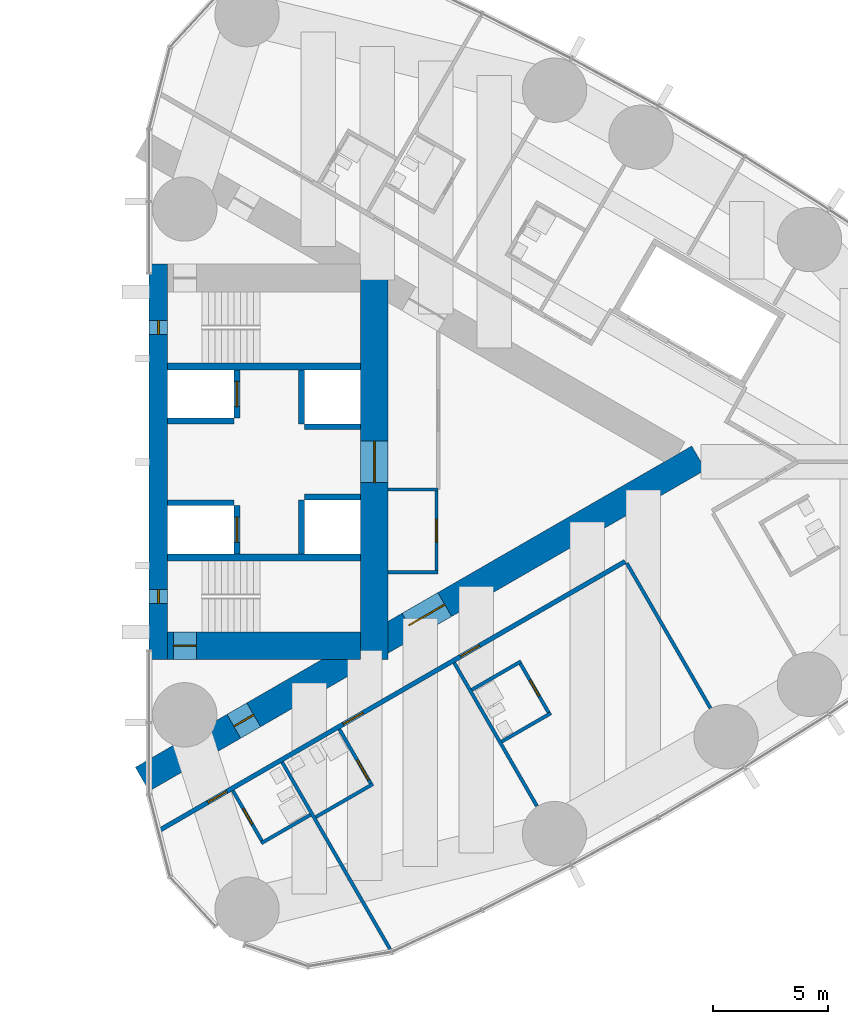
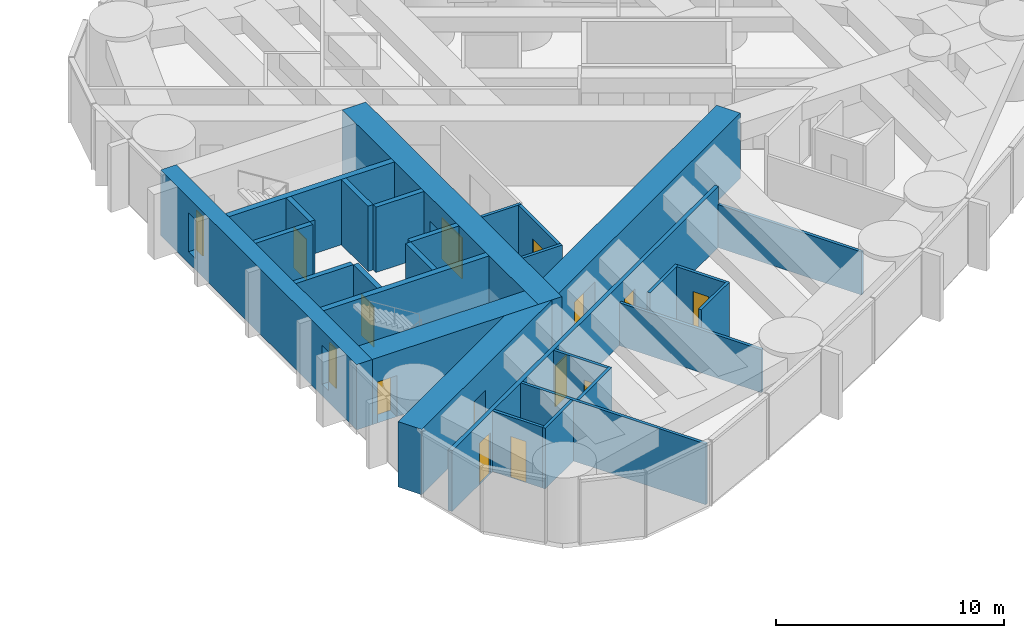
# One storey, part 14 of 18: 28 walls, 13 doors, 2 windows, 15 openings.
"""IFC4 building model written with IfcOpenShell, lengths in metres."""

from ifc_helpers import new_model, si_unit, direction, frame, frame_2d, origin, place, context, subcontext, project, spatial, rectangle, extrude, material, layer, layer_set, type_object, element, fill, save


model = new_model("IFC4")

# Units and contexts
model_context = context("Model", 3, precision=1e-05, world=origin(), true_north=direction((0.0, 1.0)))
body_context = subcontext(model_context, "Body", "Model", "MODEL_VIEW")
ifc_project = project(units=[si_unit("LENGTHUNIT", "METRE"), si_unit("AREAUNIT", "SQUARE_METRE"), si_unit("VOLUMEUNIT", "CUBIC_METRE"), si_unit("PLANEANGLEUNIT", "RADIAN"), si_unit("MASSUNIT", "GRAM", prefix="KILO")], contexts=[model_context])

# Site, building, storey
site_placement = place(None, origin())
site = spatial("IfcSite", under=ifc_project, at=site_placement, CompositionType="ELEMENT")
building_placement = place(site_placement, origin())
building = spatial("IfcBuilding", under=site, at=building_placement, Name="Lancet Gate Hotel", CompositionType="ELEMENT")
storey_placement = place(building_placement, frame((0.0, 0.0, 180.800048828125)))
storey = spatial("IfcBuildingStorey", under=building, at=storey_placement, Name="L48", CompositionType="ELEMENT", Elevation=180.800048828125)

# Wall
ifc_material_1 = material(Name="Moisture resistant board partition")
ifc_layer_1 = layer(ifc_material_1, 0.14990234375)
ifc_layer_set_1 = layer_set([ifc_layer_1], Name="Bathroom wall 150")
wall_type_1 = type_object("IfcWallType", Name="Bathroom wall 150", PredefinedType="PARTITIONING", material=ifc_layer_set_1)
wall_1_placement = place(storey_placement, frame((32.375244140625, -16.58544921875, 0.0), z_axis=(0.0, 0.0, 1.0), x_axis=(0.86604923931, 0.499958713387, 0.0)))
element("IfcWall", 1, at=wall_1_placement, inside=storey, type_object=wall_type_1, Name="T2 bathroom wall 150 L48", PredefinedType="PARTITIONING", context=body_context, shape_type="SweptSolid", body=[
    extrude(rectangle(XDim=2.474853515625, YDim=0.14990234375, at=frame_2d((1.2373046875, 0.0))), origin(), (0.0, 0.0, 1.0), 3.25),
])

# Wall, opening, door
wall_2_placement = place(storey_placement, frame((31.14013671875, -14.29638671875, 0.0), z_axis=(0.0, 0.0, 1.0), x_axis=(0.500006934395, -0.866021400173, 0.0)))
wall_2 = element("IfcWall", 2, at=wall_2_placement, inside=storey, type_object=wall_type_1, Name="T2 bathroom wall 150 L48", PredefinedType="PARTITIONING", context=body_context, shape_type="SweptSolid", body=[
    extrude(rectangle(XDim=2.60009765625, YDim=0.14990234375, at=frame_2d((1.300048828125, 0.0))), origin(), (0.0, 0.0, 1.0), 3.25),
])
opening_1_placement = place(wall_2_placement, frame((0.89990234375, 0.0, 0.0)))
opening_1 = element("IfcOpeningElement", 3, at=opening_1_placement, cuts=wall_2, Name="Opening 4851-B", PredefinedType="OPENING", context=body_context, shape_type="SweptSolid", body=[
    extrude(rectangle(XDim=0.800048828125, YDim=2.199951171875, at=frame_2d((0.39990234375, 1.10009765625))), frame((0.0, 0.0849609375, 0.0), z_axis=(0.0, -1.0, 0.0), x_axis=(1.0, 0.0, 0.0)), (0.0, 0.0, 1.0), 0.169921875),
])
ifc_material_2 = material(Name="Timber door set", Category="wood")
door_type_1 = type_object("IfcDoorType", Name="Bathroom door 800", OperationType="SINGLE_SWING_RIGHT", PredefinedType="DOOR", material=ifc_material_2)
door_1_placement = place(opening_1_placement, origin())
door_1 = element("IfcDoor", 4, at=door_1_placement, inside=storey, type_object=door_type_1, Name="4851-B", OperationType="SINGLE_SWING_RIGHT", OverallHeight=2.199951171875, OverallWidth=0.800048828125, PredefinedType="DOOR", context=body_context, shape_type="SweptSolid", body=[
    extrude(rectangle(XDim=0.800048828125, YDim=2.199951171875, at=frame_2d((0.39990234375, 1.10009765625))), frame((0.0, 0.02490234375, 0.0), z_axis=(0.0, -1.0, 0.0), x_axis=(1.0, 0.0, 0.0)), (0.0, 0.0, 1.0), 0.050048828125),
])
fill(opening_1, door_1)

# Wall
wall_3_placement = place(storey_placement, frame((34.74853515625, -15.4462890625, 0.0), z_axis=(0.0, 0.0, 1.0), x_axis=(0.866018712932, 0.500011588718, 0.0)))
element("IfcWall", 5, at=wall_3_placement, inside=storey, type_object=wall_type_1, Name="T2 bathroom wall 150 L48", PredefinedType="PARTITIONING", context=body_context, shape_type="SweptSolid", body=[
    extrude(rectangle(XDim=2.875, YDim=0.14990234375, at=frame_2d((1.4375, 0.0))), origin(), (0.0, 0.0, 1.0), 3.25),
])

# Wall, opening, door
wall_4_placement = place(storey_placement, frame((35.7734375, -11.621337890625, 0.0), z_axis=(0.0, 0.0, 1.0), x_axis=(0.49998411664, -0.866034573852, 0.0)))
wall_4 = element("IfcWall", 6, at=wall_4_placement, inside=storey, type_object=wall_type_1, Name="T2 bathroom wall 150 L48", PredefinedType="PARTITIONING", context=body_context, shape_type="SweptSolid", body=[
    extrude(rectangle(XDim=2.7998046875, YDim=0.14990234375, at=frame_2d((1.39990234375, 0.0))), origin(), (0.0, 0.0, 1.0), 3.25),
])
opening_2_placement = place(wall_4_placement, frame((1.550048828125, 0.0, 0.0)))
opening_2 = element("IfcOpeningElement", 7, at=opening_2_placement, cuts=wall_4, Name="Opening 4852-B", PredefinedType="OPENING", context=body_context, shape_type="SweptSolid", body=[
    extrude(rectangle(XDim=1.0, YDim=2.199951171875, at=frame_2d((0.5, 1.10009765625))), frame((0.0, 0.0849609375, 0.0), z_axis=(0.0, -1.0, 0.0), x_axis=(1.0, 0.0, 0.0)), (0.0, 0.0, 1.0), 0.169921875),
])
ifc_material_3 = material(Name="Timber door set", Category="wood")
door_type_2 = type_object("IfcDoorType", Name="Accessible en-suite door 1000", OperationType="SINGLE_SWING_RIGHT", PredefinedType="DOOR", material=ifc_material_3)
door_2_placement = place(opening_2_placement, origin())
door_2 = element("IfcDoor", 8, at=door_2_placement, inside=storey, type_object=door_type_2, Name="4852-B", OperationType="SINGLE_SWING_RIGHT", OverallHeight=2.199951171875, OverallWidth=1.0, PredefinedType="DOOR", context=body_context, shape_type="SweptSolid", body=[
    extrude(rectangle(XDim=1.0, YDim=2.199951171875, at=frame_2d((0.5, 1.10009765625))), frame((0.0, 0.02490234375, 0.0), z_axis=(0.0, -1.0, 0.0), x_axis=(1.0, 0.0, 0.0)), (0.0, 0.0, 1.0), 0.050048828125),
])
fill(opening_2, door_2)

# Wall
wall_5_placement = place(storey_placement, frame((42.834228515625, -12.16357421875, 0.0), z_axis=(0.0, 0.0, 1.0), x_axis=(0.866031185235, 0.4999899861, 0.0)))
element("IfcWall", 9, at=wall_5_placement, inside=storey, type_object=wall_type_1, Name="T2 bathroom wall 150 L48", PredefinedType="PARTITIONING", context=body_context, shape_type="SweptSolid", body=[
    extrude(rectangle(XDim=2.47509765625, YDim=0.14990234375, at=frame_2d((1.237548828125, 0.0))), origin(), (0.0, 0.0, 1.0), 3.25),
])

# Wall, opening, door
wall_6_placement = place(storey_placement, frame((43.61279296875, -8.7119140625, 0.0), z_axis=(0.0, 0.0, 1.0), x_axis=(0.500006934395, -0.866021400173, 0.0)))
wall_6 = element("IfcWall", 10, at=wall_6_placement, inside=storey, type_object=wall_type_1, Name="T2 bathroom wall 150 L48", PredefinedType="PARTITIONING", context=body_context, shape_type="SweptSolid", body=[
    extrude(rectangle(XDim=2.60009765625, YDim=0.14990234375, at=frame_2d((1.300048828125, 0.0))), origin(), (0.0, 0.0, 1.0), 3.25),
])
opening_3_placement = place(wall_6_placement, frame((0.89990234375, 0.0, 0.0)))
opening_3 = element("IfcOpeningElement", 11, at=opening_3_placement, cuts=wall_6, Name="Opening 4854-B", PredefinedType="OPENING", context=body_context, shape_type="SweptSolid", body=[
    extrude(rectangle(XDim=0.800048828125, YDim=2.199951171875, at=frame_2d((0.39990234375, 1.10009765625))), frame((0.0, 0.0849609375, 0.0), z_axis=(0.0, -1.0, 0.0), x_axis=(1.0, 0.0, 0.0)), (0.0, 0.0, 1.0), 0.169921875),
])
door_3_placement = place(opening_3_placement, origin())
door_3 = element("IfcDoor", 12, at=door_3_placement, inside=storey, type_object=door_type_1, Name="4854-B", OperationType="SINGLE_SWING_RIGHT", OverallHeight=2.199951171875, OverallWidth=0.800048828125, PredefinedType="DOOR", context=body_context, shape_type="SweptSolid", body=[
    extrude(rectangle(XDim=0.800048828125, YDim=2.199951171875, at=frame_2d((0.39990234375, 1.10009765625))), frame((0.0, 0.02490234375, 0.0), z_axis=(0.0, -1.0, 0.0), x_axis=(1.0, 0.0, 0.0)), (0.0, 0.0, 1.0), 0.050048828125),
])
fill(opening_3, door_3)

# Wall
wall_7_placement = place(storey_placement, frame((41.5341796875, -9.911865234375, 0.0), z_axis=(0.0, 0.0, 1.0), x_axis=(0.866031185235, 0.4999899861, 0.0)))
element("IfcWall", 13, at=wall_7_placement, inside=storey, type_object=wall_type_1, Name="T2 bathroom wall 150 L48", PredefinedType="PARTITIONING", context=body_context, shape_type="SweptSolid", body=[
    extrude(rectangle(XDim=2.47509765625, YDim=0.14990234375, at=frame_2d((1.237548828125, 0.0))), origin(), (0.0, 0.0, 1.0), 3.25),
])

# Wall, openings, doors
ifc_material_4 = material(Name="Concrete C70/85", Category="concrete")
ifc_layer_2 = layer(ifc_material_4, 1.199951171875)
ifc_layer_set_2 = layer_set([ifc_layer_2], Name="Buttress wall 1200")
wall_type_2 = type_object("IfcWallType", Name="Buttress wall 1200", PredefinedType="SHEAR", material=ifc_layer_set_2)
wall_8_placement = place(storey_placement, frame((27.199951171875, -13.800048828125, 0.0), z_axis=(0.0, 0.0, 1.0), x_axis=(0.866027159892, 0.499996958321, 0.0)))
wall_8 = element("IfcWall", 14, at=wall_8_placement, inside=storey, type_object=wall_type_2, Name="T2 buttress wall S L48", PredefinedType="SHEAR", context=body_context, shape_type="SweptSolid", body=[
    extrude(rectangle(XDim=27.946533203125, YDim=1.199951171875, at=frame_2d((13.97314453125, 0.0))), origin(), (0.0, 0.0, 1.0), 3.5),
])
opening_4_placement = place(wall_8_placement, frame((4.60009765625, 0.0, 0.0)))
opening_4 = element("IfcOpeningElement", 15, at=opening_4_placement, cuts=wall_8, Name="Opening T2-L48-LS", PredefinedType="OPENING", context=body_context, shape_type="SweptSolid", body=[
    extrude(rectangle(XDim=1.0, YDim=2.199951171875, at=frame_2d((0.5, 1.10009765625))), frame((0.0, 0.60986328125, 0.0), z_axis=(0.0, -1.0, 0.0), x_axis=(1.0, 0.0, 0.0)), (0.0, 0.0, 1.0), 1.219970703125),
])
opening_5_placement = place(wall_8_placement, frame((13.39453125, 0.0, 0.0)))
opening_5 = element("IfcOpeningElement", 16, at=opening_5_placement, cuts=wall_8, Name="Opening T2-L48-LHS", PredefinedType="OPENING", context=body_context, shape_type="SweptSolid", body=[
    extrude(rectangle(XDim=1.800048828125, YDim=2.199951171875, at=frame_2d((0.89990234375, 1.10009765625))), frame((0.0, 0.60986328125, 0.0), z_axis=(0.0, -1.0, 0.0), x_axis=(1.0, 0.0, 0.0)), (0.0, 0.0, 1.0), 1.219970703125),
])
ifc_material_5 = material(Name="Timber door set", Category="wood")
door_type_3 = type_object("IfcDoorType", Name="Lobby double door 1800", OperationType="DOUBLE_DOOR_SINGLE_SWING", PredefinedType="DOOR", material=ifc_material_5)
door_4_placement = place(opening_5_placement, origin())
door_4 = element("IfcDoor", 17, at=door_4_placement, inside=storey, type_object=door_type_3, Name="T2-L48-LHS", OperationType="DOUBLE_DOOR_SINGLE_SWING", OverallHeight=2.199951171875, OverallWidth=1.800048828125, PredefinedType="DOOR", context=body_context, shape_type="SweptSolid", body=[
    extrude(rectangle(XDim=1.800048828125, YDim=2.199951171875, at=frame_2d((0.89990234375, 1.10009765625))), frame((0.0, 0.02490234375, 0.0), z_axis=(0.0, -1.0, 0.0), x_axis=(1.0, 0.0, 0.0)), (0.0, 0.0, 1.0), 0.050048828125),
])
fill(opening_5, door_4)
ifc_material_6 = material(Name="Timber door set", Category="wood")
door_type_4 = type_object("IfcDoorType", Name="Stair lobby door 1000", OperationType="SINGLE_SWING_LEFT", PredefinedType="DOOR", material=ifc_material_6)
door_5_placement = place(opening_4_placement, origin())
door_5 = element("IfcDoor", 18, at=door_5_placement, inside=storey, type_object=door_type_4, Name="T2-L48-LS", OperationType="SINGLE_SWING_LEFT", OverallHeight=2.199951171875, OverallWidth=1.0, PredefinedType="DOOR", context=body_context, shape_type="SweptSolid", body=[
    extrude(rectangle(XDim=1.0, YDim=2.199951171875, at=frame_2d((0.5, 1.10009765625))), frame((0.0, 0.02490234375, 0.0), z_axis=(0.0, -1.0, 0.0), x_axis=(1.0, 0.0, 0.0)), (0.0, 0.0, 1.0), 0.050048828125),
])
fill(opening_4, door_5)

# Wall, opening, door
ifc_material_7 = material(Name="Concrete C70/85", Category="concrete")
ifc_layer_3 = layer(ifc_material_7, 1.199951171875)
ifc_layer_set_3 = layer_set([ifc_layer_3], Name="Core wall 1200")
wall_type_3 = type_object("IfcWallType", Name="Core wall 1200", PredefinedType="SHEAR", material=ifc_layer_set_3)
wall_9_placement = place(storey_placement, frame((37.300048828125, -8.60009765625, 0.0), z_axis=(0.0, 0.0, 1.0), x_axis=(0.0, 1.0, 0.0)))
wall_9 = element("IfcWall", 19, at=wall_9_placement, inside=storey, type_object=wall_type_3, Name="T2 core wall back L48", PredefinedType="SHEAR", context=body_context, shape_type="SweptSolid", body=[
    extrude(rectangle(XDim=17.2001953125, YDim=1.199951171875, at=frame_2d((8.60009765625, 0.0))), origin(), (0.0, 0.0, 1.0), 3.5),
])
opening_6_placement = place(wall_9_placement, frame((7.699951171875, 0.0, 0.0)))
opening_6 = element("IfcOpeningElement", 20, at=opening_6_placement, cuts=wall_9, Name="Opening T2-L48-LL", PredefinedType="OPENING", context=body_context, shape_type="SweptSolid", body=[
    extrude(rectangle(XDim=1.800048828125, YDim=2.199951171875, at=frame_2d((0.89990234375, 1.10009765625))), frame((0.0, 0.60986328125, 0.0), z_axis=(0.0, -1.0, 0.0), x_axis=(1.0, 0.0, 0.0)), (0.0, 0.0, 1.0), 1.219970703125),
])
door_6_placement = place(opening_6_placement, origin())
door_6 = element("IfcDoor", 21, at=door_6_placement, inside=storey, type_object=door_type_3, Name="T2-L48-LL", OperationType="DOUBLE_DOOR_SINGLE_SWING", OverallHeight=2.199951171875, OverallWidth=1.800048828125, PredefinedType="DOOR", context=body_context, shape_type="SweptSolid", body=[
    extrude(rectangle(XDim=1.800048828125, YDim=2.199951171875, at=frame_2d((0.89990234375, 1.10009765625))), frame((0.0, 0.02490234375, 0.0), z_axis=(0.0, -1.0, 0.0), x_axis=(1.0, 0.0, 0.0)), (0.0, 0.0, 1.0), 0.050048828125),
])
fill(opening_6, door_6)

wall_10_placement = place(storey_placement, frame((28.300048828125, -8.0, 0.0), z_axis=(0.0, 0.0, 1.0), x_axis=(1.0, 0.0, 0.0)))
wall_10 = element("IfcWall", 22, at=wall_10_placement, inside=storey, type_object=wall_type_3, Name="T2 core wall side-S L48", PredefinedType="SHEAR", context=body_context, shape_type="SweptSolid", body=[
    extrude(rectangle(XDim=8.39990234375, YDim=1.199951171875, at=frame_2d((4.199951171875, 0.0))), origin(), (0.0, 0.0, 1.0), 3.5),
])
opening_7_placement = place(wall_10_placement, frame((0.25, 0.0, 0.0)))
opening_7 = element("IfcOpeningElement", 23, at=opening_7_placement, cuts=wall_10, Name="Opening T2-L48-ST1", PredefinedType="OPENING", context=body_context, shape_type="SweptSolid", body=[
    extrude(rectangle(XDim=1.0, YDim=2.199951171875, at=frame_2d((0.5, 1.10009765625))), frame((0.0, 0.60986328125, 0.0), z_axis=(0.0, -1.0, 0.0), x_axis=(1.0, 0.0, 0.0)), (0.0, 0.0, 1.0), 1.219970703125),
])
ifc_material_8 = material(Name="Timber door set", Category="wood")
door_type_5 = type_object("IfcDoorType", Name="Stair door 1000", OperationType="SINGLE_SWING_RIGHT", PredefinedType="DOOR", material=ifc_material_8)
door_7_placement = place(opening_7_placement, origin())
door_7 = element("IfcDoor", 24, at=door_7_placement, inside=storey, type_object=door_type_5, Name="T2-L48-ST1", OperationType="SINGLE_SWING_RIGHT", OverallHeight=2.199951171875, OverallWidth=1.0, PredefinedType="DOOR", context=body_context, shape_type="SweptSolid", body=[
    extrude(rectangle(XDim=1.0, YDim=2.199951171875, at=frame_2d((0.5, 1.10009765625))), frame((0.0, 0.02490234375, 0.0), z_axis=(0.0, -1.0, 0.0), x_axis=(1.0, 0.0, 0.0)), (0.0, 0.0, 1.0), 0.050048828125),
])
fill(opening_7, door_7)

# Wall, openings, windows
ifc_material_9 = material(Name="Concrete C70/85", Category="concrete")
ifc_layer_4 = layer(ifc_material_9, 0.800048828125)
ifc_layer_set_4 = layer_set([ifc_layer_4], Name="Core wall 800")
wall_type_4 = type_object("IfcWallType", Name="Core wall 800", PredefinedType="SHEAR", material=ifc_layer_set_4)
wall_11_placement = place(storey_placement, frame((27.89990234375, -8.60009765625, 0.0), z_axis=(0.0, 0.0, 1.0), x_axis=(0.0, 1.0, 0.0)))
wall_11 = element("IfcWall", 25, at=wall_11_placement, inside=storey, type_object=wall_type_4, Name="T2 core wall front L48", PredefinedType="SHEAR", context=body_context, shape_type="SweptSolid", body=[
    extrude(rectangle(XDim=17.2001953125, YDim=0.800048828125, at=frame_2d((8.60009765625, 0.0))), origin(), (0.0, 0.0, 1.0), 3.5),
])
opening_8_placement = place(wall_11_placement, frame((2.449951171875, 0.0, 0.60009765625)))
opening_8 = element("IfcOpeningElement", 26, at=opening_8_placement, cuts=wall_11, Name="Opening LW1", PredefinedType="OPENING", context=body_context, shape_type="SweptSolid", body=[
    extrude(rectangle(XDim=0.60009765625, YDim=2.10009765625, at=frame_2d((0.300048828125, 1.050048828125))), frame((0.0, 0.409912109375, 0.0), z_axis=(0.0, -1.0, 0.0), x_axis=(1.0, 0.0, 0.0)), (0.0, 0.0, 1.0), 0.820068359375),
])
opening_9_placement = place(wall_11_placement, frame((14.14990234375, 0.0, 0.60009765625)))
opening_9 = element("IfcOpeningElement", 27, at=opening_9_placement, cuts=wall_11, Name="Opening LW1", PredefinedType="OPENING", context=body_context, shape_type="SweptSolid", body=[
    extrude(rectangle(XDim=0.60009765625, YDim=2.10009765625, at=frame_2d((0.300048828125, 1.050048828125))), frame((0.0, 0.409912109375, 0.0), z_axis=(0.0, -1.0, 0.0), x_axis=(1.0, 0.0, 0.0)), (0.0, 0.0, 1.0), 0.820068359375),
])
ifc_material_10 = material(Name="Fire-resisting glazed steel window", Category="steel")
window_type = type_object("IfcWindowType", Name="Lancet window 600x2100", PartitioningType="SINGLE_PANEL", PredefinedType="WINDOW", material=ifc_material_10)
window_1_placement = place(opening_8_placement, origin())
window_1 = element("IfcWindow", 28, at=window_1_placement, inside=storey, type_object=window_type, Name="T2 stair window S L48", OverallHeight=2.10009765625, OverallWidth=0.60009765625, PartitioningType="SINGLE_PANEL", PredefinedType="WINDOW", context=body_context, shape_type="SweptSolid", body=[
    extrude(rectangle(XDim=0.60009765625, YDim=2.10009765625, at=frame_2d((0.300048828125, 1.050048828125))), frame((0.0, 0.030029296875, 0.0), z_axis=(0.0, -1.0, 0.0), x_axis=(1.0, 0.0, 0.0)), (0.0, 0.0, 1.0), 0.06005859375),
])
fill(opening_8, window_1)
window_2_placement = place(opening_9_placement, origin())
window_2 = element("IfcWindow", 29, at=window_2_placement, inside=storey, type_object=window_type, Name="T2 stair window N L48", OverallHeight=2.10009765625, OverallWidth=0.60009765625, PartitioningType="SINGLE_PANEL", PredefinedType="WINDOW", context=body_context, shape_type="SweptSolid", body=[
    extrude(rectangle(XDim=0.60009765625, YDim=2.10009765625, at=frame_2d((0.300048828125, 1.050048828125))), frame((0.0, 0.030029296875, 0.0), z_axis=(0.0, -1.0, 0.0), x_axis=(1.0, 0.0, 0.0)), (0.0, 0.0, 1.0), 0.06005859375),
])
fill(opening_9, window_2)

# Wall, openings, doors
ifc_material_11 = material(Name="Gypsum board partition")
ifc_layer_5 = layer(ifc_material_11, 0.199951171875)
ifc_layer_set_5 = layer_set([ifc_layer_5], Name="Corridor wall 200")
wall_type_5 = type_object("IfcWallType", Name="Corridor wall 200", PredefinedType="PARTITIONING", material=ifc_layer_set_5)
wall_12_placement = place(storey_placement, frame((27.95947265625, -16.017333984375, 0.0), z_axis=(0.0, 0.0, 1.0), x_axis=(0.866024180982, 0.50000211795, 0.0)))
wall_12 = element("IfcWall", 30, at=wall_12_placement, inside=storey, type_object=wall_type_5, Name="T2 corridor wall 200 L48", PredefinedType="PARTITIONING", context=body_context, shape_type="SweptSolid", body=[
    extrude(rectangle(XDim=23.37548828125, YDim=0.199951171875, at=frame_2d((11.687744140625, 0.0))), origin(), (0.0, 0.0, 1.0), 3.25),
])
opening_10_placement = place(wall_12_placement, frame((2.4150390625, 0.0, 0.0)))
opening_10 = element("IfcOpeningElement", 31, at=opening_10_placement, cuts=wall_12, Name="Opening 4851-E", PredefinedType="OPENING", context=body_context, shape_type="SweptSolid", body=[
    extrude(rectangle(XDim=0.949951171875, YDim=2.199951171875, at=frame_2d((0.47509765625, 1.10009765625))), frame((0.0, 0.10986328125, 0.0), z_axis=(0.0, -1.0, 0.0), x_axis=(1.0, 0.0, 0.0)), (0.0, 0.0, 1.0), 0.219970703125),
])
opening_11_placement = place(wall_12_placement, frame((9.215087890625, 0.0, 0.0)))
opening_11 = element("IfcOpeningElement", 32, at=opening_11_placement, cuts=wall_12, Name="Opening 4852-E", PredefinedType="OPENING", context=body_context, shape_type="SweptSolid", body=[
    extrude(rectangle(XDim=1.0, YDim=2.199951171875, at=frame_2d((0.5, 1.10009765625))), frame((0.0, 0.10986328125, 0.0), z_axis=(0.0, -1.0, 0.0), x_axis=(1.0, 0.0, 0.0)), (0.0, 0.0, 1.0), 0.219970703125),
])
opening_12_placement = place(wall_12_placement, frame((15.10888671875, 0.0, 0.0)))
opening_12 = element("IfcOpeningElement", 33, at=opening_12_placement, cuts=wall_12, Name="Opening 4854-E", PredefinedType="OPENING", context=body_context, shape_type="SweptSolid", body=[
    extrude(rectangle(XDim=0.949951171875, YDim=2.199951171875, at=frame_2d((0.47509765625, 1.10009765625))), frame((0.0, 0.10986328125, 0.0), z_axis=(0.0, -1.0, 0.0), x_axis=(1.0, 0.0, 0.0)), (0.0, 0.0, 1.0), 0.219970703125),
])
ifc_material_12 = material(Name="Timber door set", Category="wood")
door_type_6 = type_object("IfcDoorType", Name="Accessible guest room door 1000", OperationType="SINGLE_SWING_LEFT", PredefinedType="DOOR", material=ifc_material_12)
door_8_placement = place(opening_11_placement, origin())
door_8 = element("IfcDoor", 34, at=door_8_placement, inside=storey, type_object=door_type_6, Name="4852-E", OperationType="SINGLE_SWING_LEFT", OverallHeight=2.199951171875, OverallWidth=1.0, PredefinedType="DOOR", context=body_context, shape_type="SweptSolid", body=[
    extrude(rectangle(XDim=1.0, YDim=2.199951171875, at=frame_2d((0.5, 1.10009765625))), frame((0.0, 0.02490234375, 0.0), z_axis=(0.0, -1.0, 0.0), x_axis=(1.0, 0.0, 0.0)), (0.0, 0.0, 1.0), 0.050048828125),
])
fill(opening_11, door_8)
ifc_material_13 = material(Name="Timber door set", Category="wood")
door_type_7 = type_object("IfcDoorType", Name="Guest room entry door 950", OperationType="SINGLE_SWING_LEFT", PredefinedType="DOOR", material=ifc_material_13)
door_9_placement = place(opening_10_placement, origin())
door_9 = element("IfcDoor", 35, at=door_9_placement, inside=storey, type_object=door_type_7, Name="4851-E", OperationType="SINGLE_SWING_LEFT", OverallHeight=2.199951171875, OverallWidth=0.949951171875, PredefinedType="DOOR", context=body_context, shape_type="SweptSolid", body=[
    extrude(rectangle(XDim=0.949951171875, YDim=2.199951171875, at=frame_2d((0.47509765625, 1.10009765625))), frame((0.0, 0.02490234375, 0.0), z_axis=(0.0, -1.0, 0.0), x_axis=(1.0, 0.0, 0.0)), (0.0, 0.0, 1.0), 0.050048828125),
])
fill(opening_10, door_9)
door_10_placement = place(opening_12_placement, origin())
door_10 = element("IfcDoor", 36, at=door_10_placement, inside=storey, type_object=door_type_7, Name="4854-E", OperationType="SINGLE_SWING_LEFT", OverallHeight=2.199951171875, OverallWidth=0.949951171875, PredefinedType="DOOR", context=body_context, shape_type="SweptSolid", body=[
    extrude(rectangle(XDim=0.949951171875, YDim=2.199951171875, at=frame_2d((0.47509765625, 1.10009765625))), frame((0.0, 0.02490234375, 0.0), z_axis=(0.0, -1.0, 0.0), x_axis=(1.0, 0.0, 0.0)), (0.0, 0.0, 1.0), 0.050048828125),
])
fill(opening_12, door_10)

# Wall, opening, door
ifc_material_14 = material(Name="Concrete C50/60", Category="concrete")
ifc_layer_6 = layer(ifc_material_14, 0.25)
ifc_layer_set_6 = layer_set([ifc_layer_6], Name="Lift shaft wall 250")
wall_type_6 = type_object("IfcWallType", Name="Lift shaft wall 250", PredefinedType="SHEAR", material=ifc_layer_set_6)
wall_13_placement = place(storey_placement, frame((31.324951171875, -4.0, 0.0), z_axis=(0.0, 0.0, 1.0), x_axis=(0.0, 1.0, 0.0)))
wall_13 = element("IfcWall", 37, at=wall_13_placement, inside=storey, type_object=wall_type_6, Name="T2 core wall row1-S L48", PredefinedType="SHEAR", context=body_context, shape_type="SweptSolid", body=[
    extrude(rectangle(XDim=2.10009765625, YDim=0.25, at=frame_2d((1.050048828125, 0.0))), origin(), (0.0, 0.0, 1.0), 3.5),
])
opening_13_placement = place(wall_13_placement, frame((0.5, 0.0, 0.0)))
opening_13 = element("IfcOpeningElement", 38, at=opening_13_placement, cuts=wall_13, Name="Opening T2-SL1-L48", PredefinedType="OPENING", context=body_context, shape_type="SweptSolid", body=[
    extrude(rectangle(XDim=1.10009765625, YDim=2.199951171875, at=frame_2d((0.550048828125, 1.10009765625))), frame((0.0, 0.135009765625, 0.0), z_axis=(0.0, -1.0, 0.0), x_axis=(1.0, 0.0, 0.0)), (0.0, 0.0, 1.0), 0.27001953125),
])
ifc_material_15 = material(Name="Timber door set", Category="wood")
door_type_8 = type_object("IfcDoorType", Name="Service lift landing door 1100", OperationType="SLIDING_TO_LEFT", PredefinedType="USERDEFINED", material=ifc_material_15)
door_11_placement = place(opening_13_placement, origin())
door_11 = element("IfcDoor", 39, at=door_11_placement, inside=storey, type_object=door_type_8, Name="T2-SL1-L48", ObjectType="LIFT LANDING DOOR", OperationType="SLIDING_TO_LEFT", OverallHeight=2.199951171875, OverallWidth=1.10009765625, PredefinedType="USERDEFINED", context=body_context, shape_type="SweptSolid", body=[
    extrude(rectangle(XDim=1.10009765625, YDim=2.199951171875, at=frame_2d((0.550048828125, 1.10009765625))), frame((0.0, 0.02490234375, 0.0), z_axis=(0.0, -1.0, 0.0), x_axis=(1.0, 0.0, 0.0)), (0.0, 0.0, 1.0), 0.050048828125),
])
fill(opening_13, door_11)

# Walls
wall_14_placement = place(storey_placement, frame((34.125, -4.0, 0.0), z_axis=(0.0, 0.0, 1.0), x_axis=(0.0, 1.0, 0.0)))
element("IfcWall", 40, at=wall_14_placement, inside=storey, type_object=wall_type_6, Name="T2 core wall row2-S L48", PredefinedType="SHEAR", context=body_context, shape_type="SweptSolid", body=[
    extrude(rectangle(XDim=2.35009765625, YDim=0.25, at=frame_2d((1.175048828125, 0.0))), origin(), (0.0, 0.0, 1.0), 3.5),
])
wall_15_placement = place(storey_placement, frame((28.300048828125, -1.77490234375, 0.0), z_axis=(0.0, 0.0, 1.0), x_axis=(1.0, 0.0, 0.0)))
element("IfcWall", 41, at=wall_15_placement, inside=storey, type_object=wall_type_6, Name="T2 core wall pass1-S L48", PredefinedType="SHEAR", context=body_context, shape_type="SweptSolid", body=[
    extrude(rectangle(XDim=2.89990234375, YDim=0.25, at=frame_2d((1.449951171875, 0.0))), origin(), (0.0, 0.0, 1.0), 3.5),
])
wall_16_placement = place(storey_placement, frame((34.25, -1.52490234375, 0.0), z_axis=(0.0, 0.0, 1.0), x_axis=(1.0, 0.0, 0.0)))
element("IfcWall", 42, at=wall_16_placement, inside=storey, type_object=wall_type_6, Name="T2 core wall pass2-S L48", PredefinedType="SHEAR", context=body_context, shape_type="SweptSolid", body=[
    extrude(rectangle(XDim=2.449951171875, YDim=0.25, at=frame_2d((1.22509765625, 0.0))), origin(), (0.0, 0.0, 1.0), 3.5),
])

# Wall, opening, door
wall_17_placement = place(storey_placement, frame((31.324951171875, 1.89990234375, 0.0), z_axis=(0.0, 0.0, 1.0), x_axis=(0.0, 1.0, 0.0)))
wall_17 = element("IfcWall", 43, at=wall_17_placement, inside=storey, type_object=wall_type_6, Name="T2 core wall row1-N L48", PredefinedType="SHEAR", context=body_context, shape_type="SweptSolid", body=[
    extrude(rectangle(XDim=2.10009765625, YDim=0.25, at=frame_2d((1.050048828125, 0.0))), origin(), (0.0, 0.0, 1.0), 3.5),
])
opening_14_placement = place(wall_17_placement, frame((0.5, 0.0, 0.0)))
opening_14 = element("IfcOpeningElement", 44, at=opening_14_placement, cuts=wall_17, Name="Opening T2-FL2-L48", PredefinedType="OPENING", context=body_context, shape_type="SweptSolid", body=[
    extrude(rectangle(XDim=1.10009765625, YDim=2.199951171875, at=frame_2d((0.550048828125, 1.10009765625))), frame((0.0, 0.135009765625, 0.0), z_axis=(0.0, -1.0, 0.0), x_axis=(1.0, 0.0, 0.0)), (0.0, 0.0, 1.0), 0.27001953125),
])
ifc_material_16 = material(Name="Steel door set", Category="steel")
door_type_9 = type_object("IfcDoorType", Name="Firefighting lift landing door 1100", OperationType="SLIDING_TO_LEFT", PredefinedType="USERDEFINED", material=ifc_material_16)
door_12_placement = place(opening_14_placement, origin())
door_12 = element("IfcDoor", 45, at=door_12_placement, inside=storey, type_object=door_type_9, Name="T2-FL2-L48", ObjectType="LIFT LANDING DOOR", OperationType="SLIDING_TO_LEFT", OverallHeight=2.199951171875, OverallWidth=1.10009765625, PredefinedType="USERDEFINED", context=body_context, shape_type="SweptSolid", body=[
    extrude(rectangle(XDim=1.10009765625, YDim=2.199951171875, at=frame_2d((0.550048828125, 1.10009765625))), frame((0.0, 0.02490234375, 0.0), z_axis=(0.0, -1.0, 0.0), x_axis=(1.0, 0.0, 0.0)), (0.0, 0.0, 1.0), 0.050048828125),
])
fill(opening_14, door_12)

# Walls
wall_18_placement = place(storey_placement, frame((34.125, 1.64990234375, 0.0), z_axis=(0.0, 0.0, 1.0), x_axis=(0.0, 1.0, 0.0)))
element("IfcWall", 46, at=wall_18_placement, inside=storey, type_object=wall_type_6, Name="T2 core wall row2-N L48", PredefinedType="SHEAR", context=body_context, shape_type="SweptSolid", body=[
    extrude(rectangle(XDim=2.35009765625, YDim=0.25, at=frame_2d((1.175048828125, 0.0))), origin(), (0.0, 0.0, 1.0), 3.5),
])
wall_19_placement = place(storey_placement, frame((28.300048828125, 1.77490234375, 0.0), z_axis=(0.0, 0.0, 1.0), x_axis=(1.0, 0.0, 0.0)))
element("IfcWall", 47, at=wall_19_placement, inside=storey, type_object=wall_type_6, Name="T2 core wall pass1-N L48", PredefinedType="SHEAR", context=body_context, shape_type="SweptSolid", body=[
    extrude(rectangle(XDim=2.89990234375, YDim=0.25, at=frame_2d((1.449951171875, 0.0))), origin(), (0.0, 0.0, 1.0), 3.5),
])
wall_20_placement = place(storey_placement, frame((34.25, 1.52490234375, 0.0), z_axis=(0.0, 0.0, 1.0), x_axis=(1.0, 0.0, 0.0)))
element("IfcWall", 48, at=wall_20_placement, inside=storey, type_object=wall_type_6, Name="T2 core wall pass2-N L48", PredefinedType="SHEAR", context=body_context, shape_type="SweptSolid", body=[
    extrude(rectangle(XDim=2.449951171875, YDim=0.25, at=frame_2d((1.22509765625, 0.0))), origin(), (0.0, 0.0, 1.0), 3.5),
])
ifc_material_17 = material(Name="Gypsum board partition")
ifc_layer_7 = layer(ifc_material_17, 0.14990234375)
ifc_layer_set_7 = layer_set([ifc_layer_7], Name="Party wall 150")
wall_type_7 = type_object("IfcWallType", Name="Party wall 150", PredefinedType="PARTITIONING", material=ifc_layer_set_7)
wall_21_placement = place(storey_placement, frame((33.28369140625, -13.058837890625, 0.0), z_axis=(0.0, 0.0, 1.0), x_axis=(0.499985904184, -0.866033541855, 0.0)))
element("IfcWall", 49, at=wall_21_placement, inside=storey, type_object=wall_type_7, Name="T2 party wall 150 L48", PredefinedType="PARTITIONING", context=body_context, shape_type="SweptSolid", body=[
    extrude(rectangle(XDim=9.385498046875, YDim=0.14990234375, at=frame_2d((4.69287109375, 0.0))), origin(), (0.0, 0.0, 1.0), 3.25),
])
wall_22_placement = place(storey_placement, frame((40.769287109375, -8.737060546875, 0.0), z_axis=(0.0, 0.0, 1.0), x_axis=(0.500013115284, -0.866017831539, 0.0)))
element("IfcWall", 50, at=wall_22_placement, inside=storey, type_object=wall_type_7, Name="T2 party wall 150 L48", PredefinedType="PARTITIONING", context=body_context, shape_type="SweptSolid", body=[
    extrude(rectangle(XDim=7.197998046875, YDim=0.14990234375, at=frame_2d((3.59912109375, 0.0))), origin(), (0.0, 0.0, 1.0), 2.300048828125),
])
wall_23_placement = place(storey_placement, frame((48.274658203125, -4.40380859375, 0.0), z_axis=(0.0, 0.0, 1.0), x_axis=(0.500006004368, -0.866021937133, 0.0)))
element("IfcWall", 51, at=wall_23_placement, inside=storey, type_object=wall_type_7, Name="T2 party wall 150 L48", PredefinedType="PARTITIONING", context=body_context, shape_type="SweptSolid", body=[
    extrude(rectangle(XDim=7.279296875, YDim=0.14990234375, at=frame_2d((3.6396484375, 0.0))), origin(), (0.0, 0.0, 1.0), 2.300048828125),
])
ifc_material_18 = material(Name="Gypsum board partition")
ifc_layer_8 = layer(ifc_material_18, 0.14990234375)
ifc_layer_set_8 = layer_set([ifc_layer_8], Name="Service room wall 150")
wall_type_8 = type_object("IfcWallType", Name="Service room wall 150", PredefinedType="PARTITIONING", material=ifc_layer_set_8)
for number, where, z_axis, x_axis, name in (
    (52, (37.89990234375, -1.199951171875, 0.0), (0.0, 0.0, 1.0), (1.0, 0.0, 0.0), "T2 service room wall 150 L48"),
    (53, (37.89990234375, -4.800048828125, 0.0), (0.0, 0.0, 1.0), (1.0, 0.0, 0.0), "T2 service room wall 150 L48"),
):
    element("IfcWall", number, at=place(storey_placement, frame(where, z_axis=z_axis, x_axis=x_axis)), inside=storey, type_object=wall_type_8, Name=name, PredefinedType="PARTITIONING", context=body_context, shape_type="SweptSolid", body=[
        extrude(rectangle(XDim=2.175048828125, YDim=0.14990234375, at=frame_2d((1.08740234375, 0.0))), origin(), (0.0, 0.0, 1.0), 3.25),
    ])

# Wall, opening, door
wall_24_placement = place(storey_placement, frame((40.0, -4.875, 0.0), z_axis=(0.0, 0.0, 1.0), x_axis=(0.0, 1.0, 0.0)))
wall_24 = element("IfcWall", 54, at=wall_24_placement, inside=storey, type_object=wall_type_8, Name="T2 service room wall 150 L48", PredefinedType="PARTITIONING", context=body_context, shape_type="SweptSolid", body=[
    extrude(rectangle(XDim=3.75, YDim=0.14990234375, at=frame_2d((1.875, 0.0))), origin(), (0.0, 0.0, 1.0), 3.25),
])
opening_15_placement = place(wall_24_placement, frame((1.375, 0.0, 0.0)))
opening_15 = element("IfcOpeningElement", 55, at=opening_15_placement, cuts=wall_24, Name="Opening T2-L48-HRS0", PredefinedType="OPENING", context=body_context, shape_type="SweptSolid", body=[
    extrude(rectangle(XDim=1.0, YDim=2.199951171875, at=frame_2d((0.5, 1.10009765625))), frame((0.0, 0.0849609375, 0.0), z_axis=(0.0, -1.0, 0.0), x_axis=(1.0, 0.0, 0.0)), (0.0, 0.0, 1.0), 0.169921875),
])
ifc_material_19 = material(Name="Timber door set", Category="wood")
door_type_10 = type_object("IfcDoorType", Name="Service door 1000", OperationType="SINGLE_SWING_LEFT", PredefinedType="DOOR", material=ifc_material_19)
door_13_placement = place(opening_15_placement, origin())
door_13 = element("IfcDoor", 56, at=door_13_placement, inside=storey, type_object=door_type_10, Name="T2-L48-HRS0", OperationType="SINGLE_SWING_LEFT", OverallHeight=2.199951171875, OverallWidth=1.0, PredefinedType="DOOR", context=body_context, shape_type="SweptSolid", body=[
    extrude(rectangle(XDim=1.0, YDim=2.199951171875, at=frame_2d((0.5, 1.10009765625))), frame((0.0, 0.02490234375, 0.0), z_axis=(0.0, -1.0, 0.0), x_axis=(1.0, 0.0, 0.0)), (0.0, 0.0, 1.0), 0.050048828125),
])
fill(opening_15, door_13)

# Walls
ifc_material_20 = material(Name="Concrete C50/60", Category="concrete")
ifc_layer_9 = layer(ifc_material_20, 0.300048828125)
ifc_layer_set_9 = layer_set([ifc_layer_9], Name="Stair enclosure wall 300")
wall_type_9 = type_object("IfcWallType", Name="Stair enclosure wall 300", PredefinedType="SHEAR", material=ifc_layer_set_9)
for number, where, z_axis, x_axis, name in (
    (57, (28.300048828125, -4.14990234375, 0.0), (0.0, 0.0, 1.0), (1.0, 0.0, 0.0), "T2 core wall stair-S L48"),
    (58, (28.300048828125, 4.14990234375, 0.0), (0.0, 0.0, 1.0), (1.0, 0.0, 0.0), "T2 core wall stair-N L48"),
):
    element("IfcWall", number, at=place(storey_placement, frame(where, z_axis=z_axis, x_axis=x_axis)), inside=storey, type_object=wall_type_9, Name=name, PredefinedType="SHEAR", context=body_context, shape_type="SweptSolid", body=[
        extrude(rectangle(XDim=8.39990234375, YDim=0.300048828125, at=frame_2d((4.199951171875, 0.0))), origin(), (0.0, 0.0, 1.0), 3.5),
    ])

save(model, "model.ifc")
